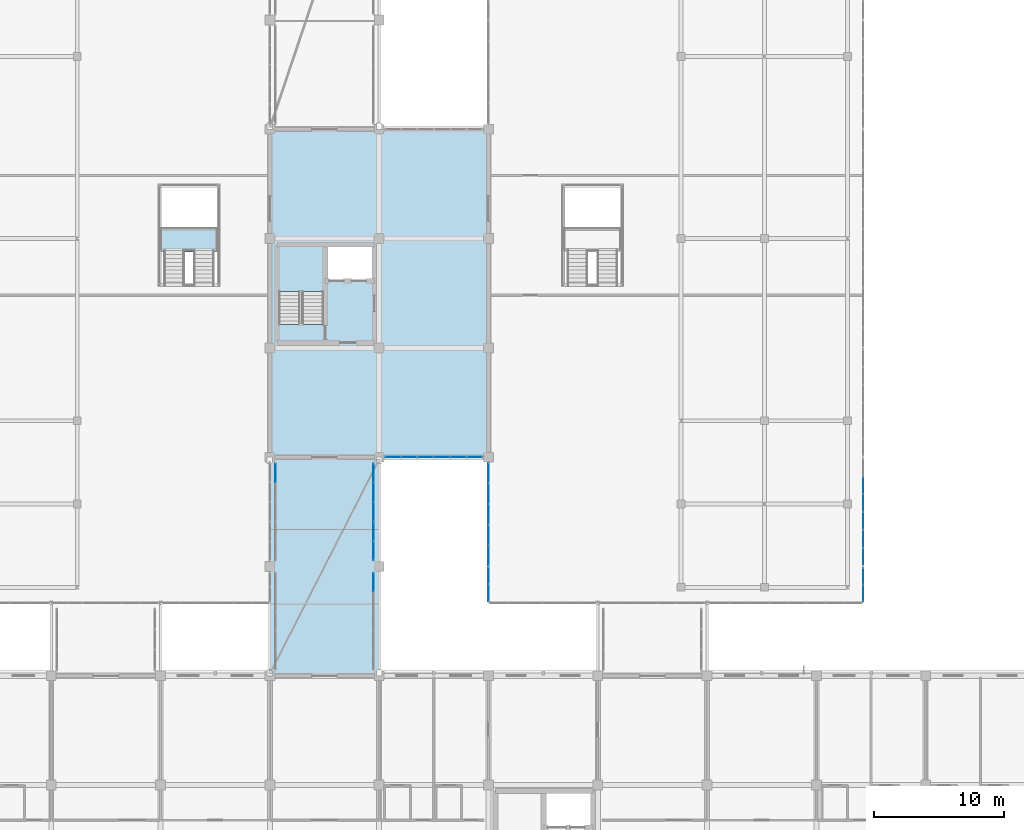
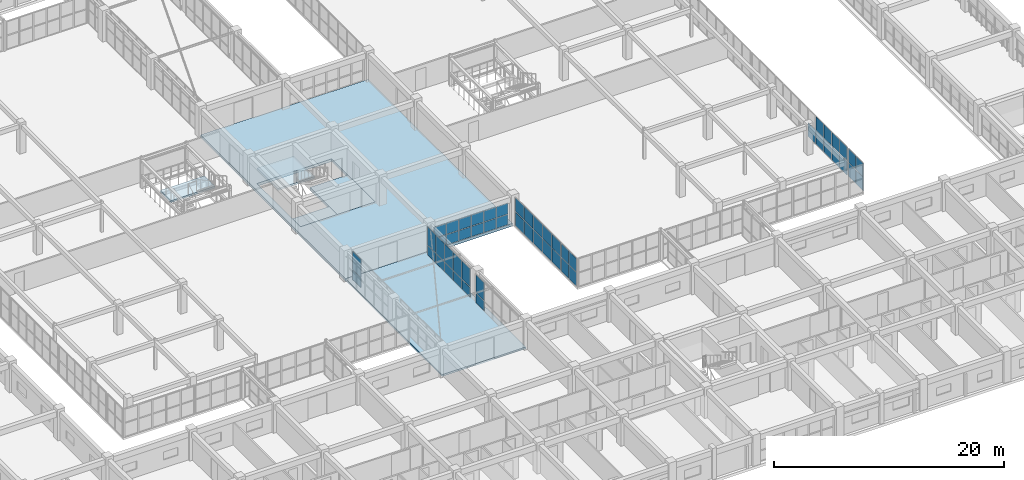
# One storey, part 150 of 200: 53 plates, 6 slabs, 10 elements without a shape of their own.
"""IFC4 building model written with IfcOpenShell, lengths in metres."""

import ifcopenshell
import ifcopenshell.guid

model = None  # the IFC model being written
_history = None  # IfcOwnerHistory: only IFC2X3 demands one
_inside = {}  # id of a spatial element -> (the spatial element, [elements in it])
_under = {}  # id of a project, library or spatial element -> (it, [spatial elements below it])
_declared = {}  # id of a project -> (the project, [libraries it declares])
_typed = {}  # id of a type object -> (the type object, [elements of that type])
_made_of = {}  # id of a material, layer set ... -> (it, [elements and type objects made of it])


def new_model(schema):
    """Start an empty IFC model of exactly this schema.

    Asked for "IFC4X3", IfcOpenShell would pick the latest addendum, in which some entities
    have other attributes; the version numbers below select the first issue.
    IFC2X3 requires an IfcOwnerHistory on every rooted entity: one is made here for all.
    """
    global model, _history
    if schema == "IFC4X3":
        model = ifcopenshell.file(schema_version=(4, 3, 0, 0))
    else:
        model = ifcopenshell.file(schema=schema)
    _inside.clear()
    _under.clear()
    _declared.clear()
    _typed.clear()
    _made_of.clear()
    _history = None
    if model.schema == "IFC2X3":
        org = make("IfcOrganization", Name="unknown")
        user = make(
            "IfcPersonAndOrganization",
            ThePerson=make("IfcPerson", FamilyName="unknown"),
            TheOrganization=org,
        )
        app = make(
            "IfcApplication",
            ApplicationDeveloper=org,
            Version="unknown",
            ApplicationFullName="unknown",
            ApplicationIdentifier="unknown",
        )
        _history = make(
            "IfcOwnerHistory",
            OwningUser=user,
            OwningApplication=app,
            ChangeAction="ADDED",
            CreationDate=0,
        )
    return model


def make(cls, **values):
    """One entity of the class cls with the attributes given. An attribute that is None is left unset."""
    return model.create_entity(
        cls, **{name: value for name, value in values.items() if value is not None}
    )


def rooted(cls, **values):
    """An entity with a GlobalId (a new one), such as an element, a storey or a relation."""
    return make(cls, GlobalId=ifcopenshell.guid.new(), OwnerHistory=_history, **values)


def si_unit(unit_type, name, prefix=None):
    """IfcSIUnit, for example si_unit("LENGTHUNIT", "METRE", prefix="MILLI")."""
    return make("IfcSIUnit", UnitType=unit_type, Prefix=prefix, Name=name)


def assignment(units):
    """IfcUnitAssignment: the units of a project."""
    return None if units is None else make("IfcUnitAssignment", Units=units)


def point(xyz):
    """IfcCartesianPoint."""
    return None if xyz is None else make("IfcCartesianPoint", Coordinates=xyz)


def direction(xyz):
    """IfcDirection."""
    return None if xyz is None else make("IfcDirection", DirectionRatios=xyz)


def frame(location, z_axis=None, x_axis=None):
    """IfcAxis2Placement3D, a coordinate frame: its origin and axes. An axis left out is left unset."""
    return make(
        "IfcAxis2Placement3D",
        Location=point(location),
        Axis=direction(z_axis),
        RefDirection=direction(x_axis),
    )


def frame_2d(location, x_axis=None):
    """IfcAxis2Placement2D, a coordinate frame in the plane: its origin and x axis."""
    return make(
        "IfcAxis2Placement2D", Location=point(location), RefDirection=direction(x_axis)
    )


def origin():
    """The frame at (0, 0, 0) with its axes left unset."""
    return frame((0.0, 0.0, 0.0))


def origin_2d():
    """The frame at (0, 0) in the plane with its x axis left unset."""
    return frame_2d((0.0, 0.0))


def place(relative_to, where):
    """IfcLocalPlacement: puts the frame where relative to a parent placement (None: the world)."""
    return make(
        "IfcLocalPlacement", PlacementRelTo=relative_to, RelativePlacement=where
    )


def context(
    kind, dimensions, precision=None, world=None, true_north=None, identifier=None
):
    """IfcGeometricRepresentationContext, for example the 3D "Model" context."""
    return make(
        "IfcGeometricRepresentationContext",
        ContextIdentifier=identifier,
        ContextType=kind,
        CoordinateSpaceDimension=dimensions,
        Precision=precision,
        WorldCoordinateSystem=world,
        TrueNorth=true_north,
    )


def subcontext(parent, identifier, kind, view, scale=None):
    """IfcGeometricRepresentationSubContext, for example "Body" below "Model"."""
    return make(
        "IfcGeometricRepresentationSubContext",
        ContextIdentifier=identifier,
        ContextType=kind,
        ParentContext=parent,
        TargetScale=scale,
        TargetView=view,
    )


def project(units=None, contexts=None):
    """IfcProject with its units and contexts."""
    return rooted(
        "IfcProject",
        Name="project",
        RepresentationContexts=contexts,
        UnitsInContext=assignment(units),
    )


def spatial(cls, under=None, at=None, **own):
    """A site, building, storey or space (cls), placed at a placement, below another one or the project."""
    s = rooted(cls, ObjectPlacement=at, **own)
    if under is not None:
        _under.setdefault(under.id(), (under, []))[1].append(s)
    return s


def polyline(points):
    """IfcPolyline through the points."""
    return make("IfcPolyline", Points=[point(p) for p in points])


def profile(cls, at=None, kind="AREA", **sizes):
    """A parametric profile (cls). Its sizes go by their IFC names, for example OverallWidth=200.0."""
    return make(cls, ProfileType=kind, Position=at, **sizes)


def rectangle(**sizes):
    """IfcRectangleProfileDef."""
    return profile("IfcRectangleProfileDef", **sizes)


def outline(outer, holes=None, kind="AREA"):
    """IfcArbitraryClosedProfileDef: a profile drawn as a closed curve; with holes, ...WithVoids."""
    if holes is None:
        return make("IfcArbitraryClosedProfileDef", ProfileType=kind, OuterCurve=outer)
    return make(
        "IfcArbitraryProfileDefWithVoids",
        ProfileType=kind,
        OuterCurve=outer,
        InnerCurves=holes,
    )


def extrude(swept, where, along, depth):
    """IfcExtrudedAreaSolid: the profile swept, set in the frame where, extruded along a direction by depth."""
    return make(
        "IfcExtrudedAreaSolid",
        SweptArea=swept,
        Position=where,
        ExtrudedDirection=direction(along),
        Depth=depth,
    )


def shape(context_of_items, identifier, shape_type, items):
    """IfcShapeRepresentation: the items that make up one representation, for example the "Body"."""
    return make(
        "IfcShapeRepresentation",
        ContextOfItems=context_of_items,
        RepresentationIdentifier=identifier,
        RepresentationType=shape_type,
        Items=items,
    )


def material(Name=None, Category=None):
    """IfcMaterial."""
    return make("IfcMaterial", Name=Name, Category=Category)


def layer(
    of_material, thickness, ventilated=None, Name=None, Category=None, Priority=None
):
    """IfcMaterialLayer: one layer of a wall or slab, of a material (None: an air gap)."""
    return make(
        "IfcMaterialLayer",
        Material=of_material,
        LayerThickness=thickness,
        IsVentilated=ventilated,
        Name=Name,
        Category=Category,
        Priority=Priority,
    )


def layer_set(layers, Name=None):
    """IfcMaterialLayerSet."""
    return make("IfcMaterialLayerSet", MaterialLayers=layers, LayerSetName=Name)


def made_of(thing, what):
    """Note that an element or type object is made of a material, layer set ...; save() writes the relation."""
    if what is not None:
        _made_of.setdefault(what.id(), (what, []))[1].append(thing)
    return thing


def type_object(cls, material=None, **own):
    """A type object (cls), such as IfcWallType, which elements share."""
    return made_of(rooted(cls, **own), material)


def element(
    cls,
    number,
    at=None,
    inside=None,
    cuts=None,
    type_object=None,
    material=None,
    context=None,
    identifier="Body",
    shape_type=None,
    held_by="IfcProductDefinitionShape",
    body=None,
    shapes=None,
    **own,
):
    """One element of the class cls, such as IfcWall. Its Tag is "e" and its number.

    at: its placement. inside: the storey or other place that contains it. cuts: it is an
    opening in that element (IfcRelVoidsElement). A single representation is given by context,
    identifier, shape_type and body (its items); several are given by shapes. held_by: the class
    of the entity that holds the representations. save() writes the other relations.
    """
    e = rooted(cls, Tag="e%d" % number, ObjectPlacement=at, **own)
    if body is not None:
        shapes = [shape(context, identifier, shape_type, body)]
    if shapes is not None:
        e.Representation = make(held_by, Representations=shapes)
    if inside is not None:
        _inside.setdefault(inside.id(), (inside, []))[1].append(e)
    if cuts is not None:
        rooted(
            "IfcRelVoidsElement", RelatingBuildingElement=cuts, RelatedOpeningElement=e
        )
    if type_object is not None:
        _typed.setdefault(type_object.id(), (type_object, []))[1].append(e)
    return made_of(e, material)


def aggregate(whole, parts):
    """IfcRelAggregates: a whole, such as a stair, and the parts it consists of."""
    return rooted("IfcRelAggregates", RelatingObject=whole, RelatedObjects=parts)


def save(model, path):
    """Write the relations noted so far, then the file.

    IfcRelAggregates (storeys below a building ...), IfcRelContainedInSpatialStructure (elements
    in a storey), IfcRelDefinesByType, IfcRelAssociatesMaterial and IfcRelDeclares: one each for
    every whole, place, type object, material and project.
    """
    for whole, parts in _under.values():
        aggregate(whole, parts)
    for where, things in _inside.values():
        rooted(
            "IfcRelContainedInSpatialStructure",
            RelatedElements=things,
            RelatingStructure=where,
        )
    for kind, things in _typed.values():
        rooted("IfcRelDefinesByType", RelatedObjects=things, RelatingType=kind)
    for what, things in _made_of.values():
        rooted("IfcRelAssociatesMaterial", RelatedObjects=things, RelatingMaterial=what)
    for by, libraries in _declared.values():
        rooted("IfcRelDeclares", RelatingContext=by, RelatedDefinitions=libraries)
    model.write(path)


model = new_model("IFC4")

# Units and contexts
model_context = context("Model", 3, precision=1e-05, world=origin(), true_north=direction((0.0, 1.0)))
body_context = subcontext(model_context, "Body", "Model", "MODEL_VIEW")
ifc_project = project(units=[si_unit("LENGTHUNIT", "METRE"), si_unit("AREAUNIT", "SQUARE_METRE"), si_unit("VOLUMEUNIT", "CUBIC_METRE"), si_unit("PLANEANGLEUNIT", "RADIAN"), si_unit("MASSUNIT", "GRAM", prefix="KILO")], contexts=[model_context])

# Site, building, storey
site_placement = place(None, origin())
site = spatial("IfcSite", under=ifc_project, at=site_placement, CompositionType="ELEMENT")
building_placement = place(site_placement, origin())
building = spatial("IfcBuilding", under=site, at=building_placement, Name="Trelvath General Hospital", CompositionType="ELEMENT")
storey_placement = place(building_placement, frame((0.0, 0.0, 4.800048828125)))
storey = spatial("IfcBuildingStorey", under=building, at=storey_placement, Name="L01", CompositionType="ELEMENT", Elevation=4.800048828125)

# Slab
ifc_material_1 = material(Name="Concrete C35/45", Category="concrete")
ifc_layer_1 = layer(ifc_material_1, 0.18994140625)
ifc_layer_set_1 = layer_set([ifc_layer_1], Name="Concrete C35/45")
slab_type_1 = type_object("IfcSlabType", Name="BridgeDeck 190", PredefinedType="FLOOR", material=ifc_layer_set_1)
slab_1_placement = place(storey_placement, frame((0.0, 0.0, -0.18994140625)))
element("IfcSlab", 1, at=slab_1_placement, inside=storey, type_object=slab_type_1, Name="Courtyard Bridge Deck BRG-S-C L01", PredefinedType="FLOOR", context=body_context, shape_type="SweptSolid", body=[
    extrude(outline(polyline([(75.60009765625, 25.199951171875), (84.0, 25.199951171875), (84.0, 42.0), (75.60009765625, 42.0), (75.60009765625, 25.199951171875)])), origin(), (0.0, 0.0, 1.0), 0.18994140625),
])

# Curtain wall, plates
ifc_material_2 = material(Name="Anodised aluminium and low-E glass", Category="aluminium")
ifc_layer_2 = layer(ifc_material_2, 0.14990234375)
ifc_layer_set_2 = layer_set([ifc_layer_2], Name="Anodised aluminium and low-E glass")
curtain_wall_type_1 = type_object("IfcCurtainWallType", Name="CW CrystalCube 264 306 15", PredefinedType="USERDEFINED", material=ifc_layer_set_2)
curtain_wall_1_placement = place(storey_placement, origin())
curtain_wall_1 = element("IfcCurtainWall", 2, at=curtain_wall_1_placement, inside=storey, type_object=curtain_wall_type_1, Name="Crystal Cube Curtain Wall CUBE-E-T0 E1 L01", ObjectType="Unitised Glazed Curtain Wall", PredefinedType="USERDEFINED")
ifc_material_3 = material(Name="Low-E laminated glass", Category="glass")
ifc_layer_3 = layer(ifc_material_3, 0.028076171875)
ifc_layer_set_3 = layer_set([ifc_layer_3], Name="Low-E laminated glass")
plate_type_1 = type_object("IfcPlateType", Name="CurtainPanel Glass28", PredefinedType="CURTAIN_PANEL", material=ifc_layer_set_3)
plate_1_placement = place(storey_placement, frame((121.199951171875, 32.844970703125, 0.06005859375), z_axis=(0.0, 0.0, 1.0), x_axis=(0.0, -1.0, 0.0)))
plate_1 = element("IfcPlate", 3, at=plate_1_placement, type_object=plate_type_1, Name="CW-160 panel 1.1", PredefinedType="CURTAIN_PANEL", context=body_context, shape_type="SweptSolid", body=[
    extrude(rectangle(XDim=1.22998046875, YDim=0.028076171875, at=origin_2d()), origin(), (0.0, 0.0, 1.0), 1.43994140625),
])
plate_2_placement = place(storey_placement, frame((121.199951171875, 32.844970703125, 1.56005859375), z_axis=(0.0, 0.0, 1.0), x_axis=(0.0, -1.0, 0.0)))
plate_2 = element("IfcPlate", 4, at=plate_2_placement, type_object=plate_type_1, Name="CW-160 panel 1.2", PredefinedType="CURTAIN_PANEL", context=body_context, shape_type="SweptSolid", body=[
    extrude(rectangle(XDim=1.22998046875, YDim=0.028076171875, at=origin_2d()), origin(), (0.0, 0.0, 1.0), 1.43994140625),
])
plate_3_placement = place(storey_placement, frame((121.199951171875, 31.554931640625, 0.06005859375), z_axis=(0.0, 0.0, 1.0), x_axis=(0.0, -1.0, 0.0)))
plate_3 = element("IfcPlate", 5, at=plate_3_placement, type_object=plate_type_1, Name="CW-160 panel 2.1", PredefinedType="CURTAIN_PANEL", context=body_context, shape_type="SweptSolid", body=[
    extrude(rectangle(XDim=1.22998046875, YDim=0.028076171875, at=origin_2d()), origin(), (0.0, 0.0, 1.0), 1.43994140625),
])
plate_4_placement = place(storey_placement, frame((121.199951171875, 31.554931640625, 1.56005859375), z_axis=(0.0, 0.0, 1.0), x_axis=(0.0, -1.0, 0.0)))
plate_4 = element("IfcPlate", 6, at=plate_4_placement, type_object=plate_type_1, Name="CW-160 panel 2.2", PredefinedType="CURTAIN_PANEL", context=body_context, shape_type="SweptSolid", body=[
    extrude(rectangle(XDim=1.22998046875, YDim=0.028076171875, at=origin_2d()), origin(), (0.0, 0.0, 1.0), 1.43994140625),
])
aggregate(curtain_wall_1, [plate_1, plate_2, plate_3, plate_4])

ifc_material_4 = material(Name="Anodised aluminium and low-E glass", Category="aluminium")
ifc_layer_4 = layer(ifc_material_4, 0.14990234375)
ifc_layer_set_4 = layer_set([ifc_layer_4], Name="Anodised aluminium and low-E glass")
curtain_wall_type_2 = type_object("IfcCurtainWallType", Name="CW CrystalCube 270 306 15", PredefinedType="USERDEFINED", material=ifc_layer_set_4)
curtain_wall_2_placement = place(storey_placement, origin())
curtain_wall_2 = element("IfcCurtainWall", 7, at=curtain_wall_2_placement, inside=storey, type_object=curtain_wall_type_2, Name="Crystal Cube Curtain Wall CUBE-E-T0 W1 L01", ObjectType="Unitised Glazed Curtain Wall", PredefinedType="USERDEFINED")
plate_5_placement = place(storey_placement, frame((92.39990234375, 31.570068359375, 0.06005859375), z_axis=(0.0, 0.0, 1.0), x_axis=(0.0, 1.0, 0.0)))
plate_5 = element("IfcPlate", 8, at=plate_5_placement, type_object=plate_type_1, Name="CW-161 panel 1.1", PredefinedType="CURTAIN_PANEL", context=body_context, shape_type="SweptSolid", body=[
    extrude(rectangle(XDim=1.260009765625, YDim=0.028076171875, at=origin_2d()), origin(), (0.0, 0.0, 1.0), 1.43994140625),
])
plate_6_placement = place(storey_placement, frame((92.39990234375, 31.570068359375, 1.56005859375), z_axis=(0.0, 0.0, 1.0), x_axis=(0.0, 1.0, 0.0)))
plate_6 = element("IfcPlate", 9, at=plate_6_placement, type_object=plate_type_1, Name="CW-161 panel 1.2", PredefinedType="CURTAIN_PANEL", context=body_context, shape_type="SweptSolid", body=[
    extrude(rectangle(XDim=1.260009765625, YDim=0.028076171875, at=origin_2d()), origin(), (0.0, 0.0, 1.0), 1.43994140625),
])
plate_7_placement = place(storey_placement, frame((92.39990234375, 32.889892578125, 0.06005859375), z_axis=(0.0, 0.0, 1.0), x_axis=(0.0, 1.0, 0.0)))
plate_7 = element("IfcPlate", 10, at=plate_7_placement, type_object=plate_type_1, Name="CW-161 panel 2.1", PredefinedType="CURTAIN_PANEL", context=body_context, shape_type="SweptSolid", body=[
    extrude(rectangle(XDim=1.260009765625, YDim=0.028076171875, at=origin_2d()), origin(), (0.0, 0.0, 1.0), 1.43994140625),
])
plate_8_placement = place(storey_placement, frame((92.39990234375, 32.889892578125, 1.56005859375), z_axis=(0.0, 0.0, 1.0), x_axis=(0.0, 1.0, 0.0)))
plate_8 = element("IfcPlate", 11, at=plate_8_placement, type_object=plate_type_1, Name="CW-161 panel 2.2", PredefinedType="CURTAIN_PANEL", context=body_context, shape_type="SweptSolid", body=[
    extrude(rectangle(XDim=1.260009765625, YDim=0.028076171875, at=origin_2d()), origin(), (0.0, 0.0, 1.0), 1.43994140625),
])
aggregate(curtain_wall_2, [plate_5, plate_6, plate_7, plate_8])

ifc_material_5 = material(Name="Anodised aluminium and low-E glass", Category="aluminium")
ifc_layer_5 = layer(ifc_material_5, 0.14990234375)
ifc_layer_set_5 = layer_set([ifc_layer_5], Name="Anodised aluminium and low-E glass")
curtain_wall_type_3 = type_object("IfcCurtainWallType", Name="CW CrystalCube 824 306 15", PredefinedType="USERDEFINED", material=ifc_layer_set_5)
curtain_wall_3_placement = place(storey_placement, origin())
curtain_wall_3 = element("IfcCurtainWall", 12, at=curtain_wall_3_placement, inside=storey, type_object=curtain_wall_type_3, Name="Crystal Cube Curtain Wall CUBE-E-T0 E2 L01", ObjectType="Unitised Glazed Curtain Wall", PredefinedType="USERDEFINED")
plate_9_placement = place(storey_placement, frame((121.199951171875, 39.860107421875, 0.06005859375), z_axis=(0.0, 0.0, 1.0), x_axis=(0.0, -1.0, 0.0)))
plate_9 = element("IfcPlate", 13, at=plate_9_placement, type_object=plate_type_1, Name="CW-162 panel 2.1", PredefinedType="CURTAIN_PANEL", context=body_context, shape_type="SweptSolid", body=[
    extrude(rectangle(XDim=1.313232421875, YDim=0.028076171875, at=origin_2d()), origin(), (0.0, 0.0, 1.0), 1.43994140625),
])
plate_10_placement = place(storey_placement, frame((121.199951171875, 38.486572265625, 0.06005859375), z_axis=(0.0, 0.0, 1.0), x_axis=(0.0, -1.0, 0.0)))
plate_10 = element("IfcPlate", 14, at=plate_10_placement, type_object=plate_type_1, Name="CW-162 panel 3.1", PredefinedType="CURTAIN_PANEL", context=body_context, shape_type="SweptSolid", body=[
    extrude(rectangle(XDim=1.313232421875, YDim=0.028076171875, at=origin_2d()), origin(), (0.0, 0.0, 1.0), 1.43994140625),
])
plate_11_placement = place(storey_placement, frame((121.199951171875, 38.486572265625, 1.56005859375), z_axis=(0.0, 0.0, 1.0), x_axis=(0.0, -1.0, 0.0)))
plate_11 = element("IfcPlate", 15, at=plate_11_placement, type_object=plate_type_1, Name="CW-162 panel 3.2", PredefinedType="CURTAIN_PANEL", context=body_context, shape_type="SweptSolid", body=[
    extrude(rectangle(XDim=1.313232421875, YDim=0.028076171875, at=origin_2d()), origin(), (0.0, 0.0, 1.0), 1.43994140625),
])
plate_12_placement = place(storey_placement, frame((121.199951171875, 37.11328125, 0.06005859375), z_axis=(0.0, 0.0, 1.0), x_axis=(0.0, -1.0, 0.0)))
plate_12 = element("IfcPlate", 16, at=plate_12_placement, type_object=plate_type_1, Name="CW-162 panel 4.1", PredefinedType="CURTAIN_PANEL", context=body_context, shape_type="SweptSolid", body=[
    extrude(rectangle(XDim=1.313232421875, YDim=0.028076171875, at=origin_2d()), origin(), (0.0, 0.0, 1.0), 1.43994140625),
])
plate_13_placement = place(storey_placement, frame((121.199951171875, 37.11328125, 1.56005859375), z_axis=(0.0, 0.0, 1.0), x_axis=(0.0, -1.0, 0.0)))
plate_13 = element("IfcPlate", 17, at=plate_13_placement, type_object=plate_type_1, Name="CW-162 panel 4.2", PredefinedType="CURTAIN_PANEL", context=body_context, shape_type="SweptSolid", body=[
    extrude(rectangle(XDim=1.313232421875, YDim=0.028076171875, at=origin_2d()), origin(), (0.0, 0.0, 1.0), 1.43994140625),
])
plate_14_placement = place(storey_placement, frame((121.199951171875, 35.739990234375, 0.06005859375), z_axis=(0.0, 0.0, 1.0), x_axis=(0.0, -1.0, 0.0)))
plate_14 = element("IfcPlate", 18, at=plate_14_placement, type_object=plate_type_1, Name="CW-162 panel 5.1", PredefinedType="CURTAIN_PANEL", context=body_context, shape_type="SweptSolid", body=[
    extrude(rectangle(XDim=1.313232421875, YDim=0.028076171875, at=origin_2d()), origin(), (0.0, 0.0, 1.0), 1.43994140625),
])
plate_15_placement = place(storey_placement, frame((121.199951171875, 35.739990234375, 1.56005859375), z_axis=(0.0, 0.0, 1.0), x_axis=(0.0, -1.0, 0.0)))
plate_15 = element("IfcPlate", 19, at=plate_15_placement, type_object=plate_type_1, Name="CW-162 panel 5.2", PredefinedType="CURTAIN_PANEL", context=body_context, shape_type="SweptSolid", body=[
    extrude(rectangle(XDim=1.313232421875, YDim=0.028076171875, at=origin_2d()), origin(), (0.0, 0.0, 1.0), 1.43994140625),
])
plate_16_placement = place(storey_placement, frame((121.199951171875, 34.381591796875, 0.06005859375), z_axis=(0.0, 0.0, 1.0), x_axis=(0.0, -1.0, 0.0)))
plate_16 = element("IfcPlate", 20, at=plate_16_placement, type_object=plate_type_1, Name="CW-162 panel 6.1", PredefinedType="CURTAIN_PANEL", context=body_context, shape_type="SweptSolid", body=[
    extrude(rectangle(XDim=1.283447265625, YDim=0.028076171875, at=origin_2d()), origin(), (0.0, 0.0, 1.0), 1.43994140625),
])
plate_17_placement = place(storey_placement, frame((121.199951171875, 34.381591796875, 1.56005859375), z_axis=(0.0, 0.0, 1.0), x_axis=(0.0, -1.0, 0.0)))
plate_17 = element("IfcPlate", 21, at=plate_17_placement, type_object=plate_type_1, Name="CW-162 panel 6.2", PredefinedType="CURTAIN_PANEL", context=body_context, shape_type="SweptSolid", body=[
    extrude(rectangle(XDim=1.283447265625, YDim=0.028076171875, at=origin_2d()), origin(), (0.0, 0.0, 1.0), 1.43994140625),
])
aggregate(curtain_wall_3, [plate_9, plate_10, plate_11, plate_12, plate_13, plate_14, plate_15, plate_16, plate_17])

ifc_material_6 = material(Name="Anodised aluminium and low-E glass", Category="aluminium")
ifc_layer_6 = layer(ifc_material_6, 0.14990234375)
ifc_layer_set_6 = layer_set([ifc_layer_6], Name="Anodised aluminium and low-E glass")
curtain_wall_type_4 = type_object("IfcCurtainWallType", Name="CW CrystalCube 798 306 15", PredefinedType="USERDEFINED", material=ifc_layer_set_6)
curtain_wall_4_placement = place(storey_placement, origin())
curtain_wall_4 = element("IfcCurtainWall", 22, at=curtain_wall_4_placement, inside=storey, type_object=curtain_wall_type_4, Name="Crystal Cube Curtain Wall CUBE-E-T0 W2 L01", ObjectType="Unitised Glazed Curtain Wall", PredefinedType="USERDEFINED")
plate_18_placement = place(storey_placement, frame((92.39990234375, 34.4326171875, 0.06005859375), z_axis=(0.0, 0.0, 1.0), x_axis=(0.0, 1.0, 0.0)))
plate_18 = element("IfcPlate", 23, at=plate_18_placement, type_object=plate_type_1, Name="CW-163 panel 1.1", PredefinedType="CURTAIN_PANEL", context=body_context, shape_type="SweptSolid", body=[
    extrude(rectangle(XDim=1.5048828125, YDim=0.028076171875, at=origin_2d()), origin(), (0.0, 0.0, 1.0), 1.43994140625),
])
plate_19_placement = place(storey_placement, frame((92.39990234375, 34.4326171875, 1.56005859375), z_axis=(0.0, 0.0, 1.0), x_axis=(0.0, 1.0, 0.0)))
plate_19 = element("IfcPlate", 24, at=plate_19_placement, type_object=plate_type_1, Name="CW-163 panel 1.2", PredefinedType="CURTAIN_PANEL", context=body_context, shape_type="SweptSolid", body=[
    extrude(rectangle(XDim=1.5048828125, YDim=0.028076171875, at=origin_2d()), origin(), (0.0, 0.0, 1.0), 1.43994140625),
])
plate_20_placement = place(storey_placement, frame((92.39990234375, 36.012451171875, 0.06005859375), z_axis=(0.0, 0.0, 1.0), x_axis=(0.0, 1.0, 0.0)))
plate_20 = element("IfcPlate", 25, at=plate_20_placement, type_object=plate_type_1, Name="CW-163 panel 2.1", PredefinedType="CURTAIN_PANEL", context=body_context, shape_type="SweptSolid", body=[
    extrude(rectangle(XDim=1.534912109375, YDim=0.028076171875, at=origin_2d()), origin(), (0.0, 0.0, 1.0), 1.43994140625),
])
plate_21_placement = place(storey_placement, frame((92.39990234375, 36.012451171875, 1.56005859375), z_axis=(0.0, 0.0, 1.0), x_axis=(0.0, 1.0, 0.0)))
plate_21 = element("IfcPlate", 26, at=plate_21_placement, type_object=plate_type_1, Name="CW-163 panel 2.2", PredefinedType="CURTAIN_PANEL", context=body_context, shape_type="SweptSolid", body=[
    extrude(rectangle(XDim=1.534912109375, YDim=0.028076171875, at=origin_2d()), origin(), (0.0, 0.0, 1.0), 1.43994140625),
])
plate_22_placement = place(storey_placement, frame((92.39990234375, 37.607421875, 0.06005859375), z_axis=(0.0, 0.0, 1.0), x_axis=(0.0, 1.0, 0.0)))
plate_22 = element("IfcPlate", 27, at=plate_22_placement, type_object=plate_type_1, Name="CW-163 panel 3.1", PredefinedType="CURTAIN_PANEL", context=body_context, shape_type="SweptSolid", body=[
    extrude(rectangle(XDim=1.534912109375, YDim=0.028076171875, at=origin_2d()), origin(), (0.0, 0.0, 1.0), 1.43994140625),
])
plate_23_placement = place(storey_placement, frame((92.39990234375, 37.607421875, 1.56005859375), z_axis=(0.0, 0.0, 1.0), x_axis=(0.0, 1.0, 0.0)))
plate_23 = element("IfcPlate", 28, at=plate_23_placement, type_object=plate_type_1, Name="CW-163 panel 3.2", PredefinedType="CURTAIN_PANEL", context=body_context, shape_type="SweptSolid", body=[
    extrude(rectangle(XDim=1.534912109375, YDim=0.028076171875, at=origin_2d()), origin(), (0.0, 0.0, 1.0), 1.43994140625),
])
plate_24_placement = place(storey_placement, frame((92.39990234375, 39.202392578125, 0.06005859375), z_axis=(0.0, 0.0, 1.0), x_axis=(0.0, 1.0, 0.0)))
plate_24 = element("IfcPlate", 29, at=plate_24_placement, type_object=plate_type_1, Name="CW-163 panel 4.1", PredefinedType="CURTAIN_PANEL", context=body_context, shape_type="SweptSolid", body=[
    extrude(rectangle(XDim=1.534912109375, YDim=0.028076171875, at=origin_2d()), origin(), (0.0, 0.0, 1.0), 1.43994140625),
])
plate_25_placement = place(storey_placement, frame((92.39990234375, 39.202392578125, 1.56005859375), z_axis=(0.0, 0.0, 1.0), x_axis=(0.0, 1.0, 0.0)))
plate_25 = element("IfcPlate", 30, at=plate_25_placement, type_object=plate_type_1, Name="CW-163 panel 4.2", PredefinedType="CURTAIN_PANEL", context=body_context, shape_type="SweptSolid", body=[
    extrude(rectangle(XDim=1.534912109375, YDim=0.028076171875, at=origin_2d()), origin(), (0.0, 0.0, 1.0), 1.43994140625),
])
plate_26_placement = place(storey_placement, frame((92.39990234375, 40.782470703125, 0.06005859375), z_axis=(0.0, 0.0, 1.0), x_axis=(0.0, 1.0, 0.0)))
plate_26 = element("IfcPlate", 31, at=plate_26_placement, type_object=plate_type_1, Name="CW-163 panel 5.1", PredefinedType="CURTAIN_PANEL", context=body_context, shape_type="SweptSolid", body=[
    extrude(rectangle(XDim=1.5048828125, YDim=0.028076171875, at=origin_2d()), origin(), (0.0, 0.0, 1.0), 1.43994140625),
])
plate_27_placement = place(storey_placement, frame((92.39990234375, 40.782470703125, 1.56005859375), z_axis=(0.0, 0.0, 1.0), x_axis=(0.0, 1.0, 0.0)))
plate_27 = element("IfcPlate", 32, at=plate_27_placement, type_object=plate_type_1, Name="CW-163 panel 5.2", PredefinedType="CURTAIN_PANEL", context=body_context, shape_type="SweptSolid", body=[
    extrude(rectangle(XDim=1.5048828125, YDim=0.028076171875, at=origin_2d()), origin(), (0.0, 0.0, 1.0), 1.43994140625),
])
aggregate(curtain_wall_4, [plate_18, plate_19, plate_20, plate_21, plate_22, plate_23, plate_24, plate_25, plate_26, plate_27])

ifc_material_7 = material(Name="Anodised aluminium and low-E glass", Category="aluminium")
ifc_layer_7 = layer(ifc_material_7, 0.139892578125)
ifc_layer_set_7 = layer_set([ifc_layer_7], Name="Anodised aluminium and low-E glass")
curtain_wall_type_5 = type_object("IfcCurtainWallType", Name="CW Bridge 752 311", PredefinedType="USERDEFINED", material=ifc_layer_set_7)
curtain_wall_5_placement = place(storey_placement, origin())
curtain_wall_5 = element("IfcCurtainWall", 33, at=curtain_wall_5_placement, inside=storey, type_object=curtain_wall_type_5, Name="Glazed Bridge Curtain Wall BRG-S-C E L01", ObjectType="Unitised Glazed Curtain Wall", PredefinedType="USERDEFINED")
plate_28_placement = place(storey_placement, frame((83.56005859375, 32.39306640625, 0.06005859375), z_axis=(0.0, 0.0, 1.0), x_axis=(0.0, -1.0, 0.0)))
plate_28 = element("IfcPlate", 34, at=plate_28_placement, type_object=plate_type_1, Name="CW-179 panel 1.1", PredefinedType="CURTAIN_PANEL", context=body_context, shape_type="SweptSolid", body=[
    extrude(rectangle(XDim=1.4140625, YDim=0.028076171875, at=origin_2d()), origin(), (0.0, 0.0, 1.0), 1.010009765625),
])
plate_29_placement = place(storey_placement, frame((83.56005859375, 32.39306640625, 1.1298828125), z_axis=(0.0, 0.0, 1.0), x_axis=(0.0, -1.0, 0.0)))
plate_29 = element("IfcPlate", 35, at=plate_29_placement, type_object=plate_type_1, Name="CW-179 panel 1.2", PredefinedType="CURTAIN_PANEL", context=body_context, shape_type="SweptSolid", body=[
    extrude(rectangle(XDim=1.4140625, YDim=0.028076171875, at=origin_2d()), origin(), (0.0, 0.0, 1.0), 1.919921875),
])
aggregate(curtain_wall_5, [plate_28, plate_29])

curtain_wall_6_placement = place(storey_placement, origin())
curtain_wall_6 = element("IfcCurtainWall", 36, at=curtain_wall_6_placement, inside=storey, type_object=curtain_wall_type_5, Name="Glazed Bridge Curtain Wall BRG-S-C W L01", ObjectType="Unitised Glazed Curtain Wall", PredefinedType="USERDEFINED")
plate_30_placement = place(storey_placement, frame((76.0400390625, 40.79296875, 0.06005859375), z_axis=(0.0, 0.0, 1.0), x_axis=(0.0, 1.0, 0.0)))
plate_30 = element("IfcPlate", 37, at=plate_30_placement, type_object=plate_type_1, Name="CW-180 panel 5.1", PredefinedType="CURTAIN_PANEL", context=body_context, shape_type="SweptSolid", body=[
    extrude(rectangle(XDim=1.4140625, YDim=0.028076171875, at=origin_2d()), origin(), (0.0, 0.0, 1.0), 1.010009765625),
])
plate_31_placement = place(storey_placement, frame((76.0400390625, 40.79296875, 1.1298828125), z_axis=(0.0, 0.0, 1.0), x_axis=(0.0, 1.0, 0.0)))
plate_31 = element("IfcPlate", 38, at=plate_31_placement, type_object=plate_type_1, Name="CW-180 panel 5.2", PredefinedType="CURTAIN_PANEL", context=body_context, shape_type="SweptSolid", body=[
    extrude(rectangle(XDim=1.4140625, YDim=0.028076171875, at=origin_2d()), origin(), (0.0, 0.0, 1.0), 1.919921875),
])
aggregate(curtain_wall_6, [plate_30, plate_31])

curtain_wall_7_placement = place(storey_placement, origin())
curtain_wall_7 = element("IfcCurtainWall", 39, at=curtain_wall_7_placement, inside=storey, type_object=curtain_wall_type_5, Name="Glazed Bridge Curtain Wall BRG-S-C E L01", ObjectType="Unitised Glazed Curtain Wall", PredefinedType="USERDEFINED")
plate_32_placement = place(storey_placement, frame((83.56005859375, 40.79296875, 0.06005859375), z_axis=(0.0, 0.0, 1.0), x_axis=(0.0, -1.0, 0.0)))
plate_32 = element("IfcPlate", 40, at=plate_32_placement, type_object=plate_type_1, Name="CW-181 panel 1.1", PredefinedType="CURTAIN_PANEL", context=body_context, shape_type="SweptSolid", body=[
    extrude(rectangle(XDim=1.4140625, YDim=0.028076171875, at=origin_2d()), origin(), (0.0, 0.0, 1.0), 1.010009765625),
])
plate_33_placement = place(storey_placement, frame((83.56005859375, 40.79296875, 1.1298828125), z_axis=(0.0, 0.0, 1.0), x_axis=(0.0, -1.0, 0.0)))
plate_33 = element("IfcPlate", 41, at=plate_33_placement, type_object=plate_type_1, Name="CW-181 panel 1.2", PredefinedType="CURTAIN_PANEL", context=body_context, shape_type="SweptSolid", body=[
    extrude(rectangle(XDim=1.4140625, YDim=0.028076171875, at=origin_2d()), origin(), (0.0, 0.0, 1.0), 1.919921875),
])
plate_34_placement = place(storey_placement, frame((83.56005859375, 39.303955078125, 0.06005859375), z_axis=(0.0, 0.0, 1.0), x_axis=(0.0, -1.0, 0.0)))
plate_34 = element("IfcPlate", 42, at=plate_34_placement, type_object=plate_type_1, Name="CW-181 panel 2.1", PredefinedType="CURTAIN_PANEL", context=body_context, shape_type="SweptSolid", body=[
    extrude(rectangle(XDim=1.444091796875, YDim=0.028076171875, at=origin_2d()), origin(), (0.0, 0.0, 1.0), 1.010009765625),
])
plate_35_placement = place(storey_placement, frame((83.56005859375, 39.303955078125, 1.1298828125), z_axis=(0.0, 0.0, 1.0), x_axis=(0.0, -1.0, 0.0)))
plate_35 = element("IfcPlate", 43, at=plate_35_placement, type_object=plate_type_1, Name="CW-181 panel 2.2", PredefinedType="CURTAIN_PANEL", context=body_context, shape_type="SweptSolid", body=[
    extrude(rectangle(XDim=1.444091796875, YDim=0.028076171875, at=origin_2d()), origin(), (0.0, 0.0, 1.0), 1.919921875),
])
plate_36_placement = place(storey_placement, frame((83.56005859375, 37.800048828125, 0.06005859375), z_axis=(0.0, 0.0, 1.0), x_axis=(0.0, -1.0, 0.0)))
plate_36 = element("IfcPlate", 44, at=plate_36_placement, type_object=plate_type_1, Name="CW-181 panel 3.1", PredefinedType="CURTAIN_PANEL", context=body_context, shape_type="SweptSolid", body=[
    extrude(rectangle(XDim=1.444091796875, YDim=0.028076171875, at=origin_2d()), origin(), (0.0, 0.0, 1.0), 1.010009765625),
])
plate_37_placement = place(storey_placement, frame((83.56005859375, 37.800048828125, 1.1298828125), z_axis=(0.0, 0.0, 1.0), x_axis=(0.0, -1.0, 0.0)))
plate_37 = element("IfcPlate", 45, at=plate_37_placement, type_object=plate_type_1, Name="CW-181 panel 3.2", PredefinedType="CURTAIN_PANEL", context=body_context, shape_type="SweptSolid", body=[
    extrude(rectangle(XDim=1.444091796875, YDim=0.028076171875, at=origin_2d()), origin(), (0.0, 0.0, 1.0), 1.919921875),
])
plate_38_placement = place(storey_placement, frame((83.56005859375, 36.2958984375, 0.06005859375), z_axis=(0.0, 0.0, 1.0), x_axis=(0.0, -1.0, 0.0)))
plate_38 = element("IfcPlate", 46, at=plate_38_placement, type_object=plate_type_1, Name="CW-181 panel 4.1", PredefinedType="CURTAIN_PANEL", context=body_context, shape_type="SweptSolid", body=[
    extrude(rectangle(XDim=1.444091796875, YDim=0.028076171875, at=origin_2d()), origin(), (0.0, 0.0, 1.0), 1.010009765625),
])
plate_39_placement = place(storey_placement, frame((83.56005859375, 36.2958984375, 1.1298828125), z_axis=(0.0, 0.0, 1.0), x_axis=(0.0, -1.0, 0.0)))
plate_39 = element("IfcPlate", 47, at=plate_39_placement, type_object=plate_type_1, Name="CW-181 panel 4.2", PredefinedType="CURTAIN_PANEL", context=body_context, shape_type="SweptSolid", body=[
    extrude(rectangle(XDim=1.444091796875, YDim=0.028076171875, at=origin_2d()), origin(), (0.0, 0.0, 1.0), 1.919921875),
])
plate_40_placement = place(storey_placement, frame((83.56005859375, 34.806884765625, 0.06005859375), z_axis=(0.0, 0.0, 1.0), x_axis=(0.0, -1.0, 0.0)))
plate_40 = element("IfcPlate", 48, at=plate_40_placement, type_object=plate_type_1, Name="CW-181 panel 5.1", PredefinedType="CURTAIN_PANEL", context=body_context, shape_type="SweptSolid", body=[
    extrude(rectangle(XDim=1.4140625, YDim=0.028076171875, at=origin_2d()), origin(), (0.0, 0.0, 1.0), 1.010009765625),
])
plate_41_placement = place(storey_placement, frame((83.56005859375, 34.806884765625, 1.1298828125), z_axis=(0.0, 0.0, 1.0), x_axis=(0.0, -1.0, 0.0)))
plate_41 = element("IfcPlate", 49, at=plate_41_placement, type_object=plate_type_1, Name="CW-181 panel 5.2", PredefinedType="CURTAIN_PANEL", context=body_context, shape_type="SweptSolid", body=[
    extrude(rectangle(XDim=1.4140625, YDim=0.028076171875, at=origin_2d()), origin(), (0.0, 0.0, 1.0), 1.919921875),
])
aggregate(curtain_wall_7, [plate_32, plate_33, plate_34, plate_35, plate_36, plate_37, plate_38, plate_39, plate_40, plate_41])

ifc_material_8 = material(Name="Anodised aluminium and low-E glass", Category="aluminium")
ifc_layer_8 = layer(ifc_material_8, 0.159912109375)
ifc_layer_set_8 = layer_set([ifc_layer_8], Name="Anodised aluminium and low-E glass")
curtain_wall_type_6 = type_object("IfcCurtainWallType", Name="CW Facade 754 242 16", PredefinedType="USERDEFINED", material=ifc_layer_set_8)
curtain_wall_8_placement = place(storey_placement, origin())
curtain_wall_8 = element("IfcCurtainWall", 50, at=curtain_wall_8_placement, inside=storey, type_object=curtain_wall_type_6, Name="Facade Curtain Wall CW-016", ObjectType="Unitised Glazed Curtain Wall", PredefinedType="USERDEFINED")
ifc_material_9 = material(Name="Low-E laminated glass", Category="glass")
ifc_layer_9 = layer(ifc_material_9, 0.035888671875)
ifc_layer_set_9 = layer_set([ifc_layer_9], Name="Low-E laminated glass")
plate_type_2 = type_object("IfcPlateType", Name="CurtainPanel Glass36", PredefinedType="CURTAIN_PANEL", material=ifc_layer_set_9)
plate_42_placement = place(storey_placement, frame((91.32666015625, 42.0, 0.06005859375), z_axis=(0.0, 0.0, 1.0), x_axis=(-1.0, 0.0, 0.0)))
plate_42 = element("IfcPlate", 51, at=plate_42_placement, type_object=plate_type_2, Name="CW-016 panel 1.1", PredefinedType="CURTAIN_PANEL", context=body_context, shape_type="SweptSolid", body=[
    extrude(rectangle(XDim=1.166748046875, YDim=0.035888671875, at=origin_2d()), origin(), (0.0, 0.0, 1.0), 1.072021484375),
])
plate_43_placement = place(storey_placement, frame((91.32666015625, 42.0, 1.19189453125), z_axis=(0.0, 0.0, 1.0), x_axis=(-1.0, 0.0, 0.0)))
plate_43 = element("IfcPlate", 52, at=plate_43_placement, type_object=plate_type_2, Name="CW-016 panel 1.2", PredefinedType="CURTAIN_PANEL", context=body_context, shape_type="SweptSolid", body=[
    extrude(rectangle(XDim=1.166748046875, YDim=0.035888671875, at=origin_2d()), origin(), (0.0, 0.0, 1.0), 1.16796875),
])
plate_44_placement = place(storey_placement, frame((90.0849609375, 42.0, 0.06005859375), z_axis=(0.0, 0.0, 1.0), x_axis=(-1.0, 0.0, 0.0)))
plate_44 = element("IfcPlate", 53, at=plate_44_placement, type_object=plate_type_2, Name="CW-016 panel 2.1", PredefinedType="CURTAIN_PANEL", context=body_context, shape_type="SweptSolid", body=[
    extrude(rectangle(XDim=1.19677734375, YDim=0.035888671875, at=origin_2d()), origin(), (0.0, 0.0, 1.0), 1.072021484375),
])
plate_45_placement = place(storey_placement, frame((90.0849609375, 42.0, 1.19189453125), z_axis=(0.0, 0.0, 1.0), x_axis=(-1.0, 0.0, 0.0)))
plate_45 = element("IfcPlate", 54, at=plate_45_placement, type_object=plate_type_2, Name="CW-016 panel 2.2", PredefinedType="CURTAIN_PANEL", context=body_context, shape_type="SweptSolid", body=[
    extrude(rectangle(XDim=1.19677734375, YDim=0.035888671875, at=origin_2d()), origin(), (0.0, 0.0, 1.0), 1.16796875),
])
plate_46_placement = place(storey_placement, frame((88.828369140625, 42.0, 0.06005859375), z_axis=(0.0, 0.0, 1.0), x_axis=(-1.0, 0.0, 0.0)))
plate_46 = element("IfcPlate", 55, at=plate_46_placement, type_object=plate_type_2, Name="CW-016 panel 3.1", PredefinedType="CURTAIN_PANEL", context=body_context, shape_type="SweptSolid", body=[
    extrude(rectangle(XDim=1.19677734375, YDim=0.035888671875, at=origin_2d()), origin(), (0.0, 0.0, 1.0), 1.072021484375),
])
plate_47_placement = place(storey_placement, frame((88.828369140625, 42.0, 1.19189453125), z_axis=(0.0, 0.0, 1.0), x_axis=(-1.0, 0.0, 0.0)))
plate_47 = element("IfcPlate", 56, at=plate_47_placement, type_object=plate_type_2, Name="CW-016 panel 3.2", PredefinedType="CURTAIN_PANEL", context=body_context, shape_type="SweptSolid", body=[
    extrude(rectangle(XDim=1.19677734375, YDim=0.035888671875, at=origin_2d()), origin(), (0.0, 0.0, 1.0), 1.16796875),
])
plate_48_placement = place(storey_placement, frame((87.57177734375, 42.0, 0.06005859375), z_axis=(0.0, 0.0, 1.0), x_axis=(-1.0, 0.0, 0.0)))
plate_48 = element("IfcPlate", 57, at=plate_48_placement, type_object=plate_type_2, Name="CW-016 panel 4.1", PredefinedType="CURTAIN_PANEL", context=body_context, shape_type="SweptSolid", body=[
    extrude(rectangle(XDim=1.19677734375, YDim=0.035888671875, at=origin_2d()), origin(), (0.0, 0.0, 1.0), 1.072021484375),
])
plate_49_placement = place(storey_placement, frame((87.57177734375, 42.0, 1.19189453125), z_axis=(0.0, 0.0, 1.0), x_axis=(-1.0, 0.0, 0.0)))
plate_49 = element("IfcPlate", 58, at=plate_49_placement, type_object=plate_type_2, Name="CW-016 panel 4.2", PredefinedType="CURTAIN_PANEL", context=body_context, shape_type="SweptSolid", body=[
    extrude(rectangle(XDim=1.19677734375, YDim=0.035888671875, at=origin_2d()), origin(), (0.0, 0.0, 1.0), 1.16796875),
])
plate_50_placement = place(storey_placement, frame((86.31494140625, 42.0, 0.06005859375), z_axis=(0.0, 0.0, 1.0), x_axis=(-1.0, 0.0, 0.0)))
plate_50 = element("IfcPlate", 59, at=plate_50_placement, type_object=plate_type_2, Name="CW-016 panel 5.1", PredefinedType="CURTAIN_PANEL", context=body_context, shape_type="SweptSolid", body=[
    extrude(rectangle(XDim=1.19677734375, YDim=0.035888671875, at=origin_2d()), origin(), (0.0, 0.0, 1.0), 1.072021484375),
])
plate_51_placement = place(storey_placement, frame((86.31494140625, 42.0, 1.19189453125), z_axis=(0.0, 0.0, 1.0), x_axis=(-1.0, 0.0, 0.0)))
plate_51 = element("IfcPlate", 60, at=plate_51_placement, type_object=plate_type_2, Name="CW-016 panel 5.2", PredefinedType="CURTAIN_PANEL", context=body_context, shape_type="SweptSolid", body=[
    extrude(rectangle(XDim=1.19677734375, YDim=0.035888671875, at=origin_2d()), origin(), (0.0, 0.0, 1.0), 1.16796875),
])
plate_52_placement = place(storey_placement, frame((85.0732421875, 42.0, 0.06005859375), z_axis=(0.0, 0.0, 1.0), x_axis=(-1.0, 0.0, 0.0)))
plate_52 = element("IfcPlate", 61, at=plate_52_placement, type_object=plate_type_2, Name="CW-016 panel 6.1", PredefinedType="CURTAIN_PANEL", context=body_context, shape_type="SweptSolid", body=[
    extrude(rectangle(XDim=1.166748046875, YDim=0.035888671875, at=origin_2d()), origin(), (0.0, 0.0, 1.0), 1.072021484375),
])
plate_53_placement = place(storey_placement, frame((85.0732421875, 42.0, 1.19189453125), z_axis=(0.0, 0.0, 1.0), x_axis=(-1.0, 0.0, 0.0)))
plate_53 = element("IfcPlate", 62, at=plate_53_placement, type_object=plate_type_2, Name="CW-016 panel 6.2", PredefinedType="CURTAIN_PANEL", context=body_context, shape_type="SweptSolid", body=[
    extrude(rectangle(XDim=1.166748046875, YDim=0.035888671875, at=origin_2d()), origin(), (0.0, 0.0, 1.0), 1.16796875),
])
aggregate(curtain_wall_8, [plate_42, plate_43, plate_44, plate_45, plate_46, plate_47, plate_48, plate_49, plate_50, plate_51, plate_52, plate_53])

# Slabs
ifc_material_10 = material(Name="Concrete C35/45", Category="concrete")
ifc_layer_10 = layer(ifc_material_10, 0.280029296875)
ifc_layer_set_10 = layer_set([ifc_layer_10], Name="Concrete C35/45")
slab_type_2 = type_object("IfcSlabType", Name="FlatSlab Clinical280", PredefinedType="FLOOR", material=ifc_layer_set_10)
slab_2_placement = place(storey_placement, frame((0.0, 0.0, -0.280029296875)))
element("IfcSlab", 63, at=slab_2_placement, inside=storey, type_object=slab_type_2, Name="Floor Slab SL-L01-V7-C1", PredefinedType="FLOOR", context=body_context, shape_type="SweptSolid", body=[
    extrude(outline(polyline([(75.60009765625, 42.0), (75.60009765625, 67.199951171875), (92.39990234375, 67.199951171875), (92.39990234375, 42.0), (75.60009765625, 42.0)]), holes=[polyline([(76.14990234375, 50.800048828125), (83.64990234375, 50.800048828125), (83.64990234375, 58.35009765625), (76.14990234375, 58.35009765625), (76.14990234375, 50.800048828125)])]), origin(), (0.0, 0.0, 1.0), 0.280029296875),
])
slab_3_placement = place(storey_placement, frame((0.0, 0.0, -0.280029296875)))
element("IfcSlab", 64, at=slab_3_placement, inside=storey, type_object=slab_type_2, Name="Core Lobby Slab C6 L01", PredefinedType="FLOOR", context=body_context, shape_type="SweptSolid", body=[
    extrude(outline(polyline([(79.85009765625, 50.800048828125), (83.64990234375, 50.800048828125), (83.64990234375, 55.550048828125), (79.85009765625, 55.550048828125), (79.85009765625, 50.800048828125)])), origin(), (0.0, 0.0, 1.0), 0.280029296875),
])
slab_4_placement = place(storey_placement, frame((0.0, 0.0, -0.280029296875)))
element("IfcSlab", 65, at=slab_4_placement, inside=storey, type_object=slab_type_2, Name="Stair Landing Slab C6 L01", PredefinedType="FLOOR", context=body_context, shape_type="SweptSolid", body=[
    extrude(outline(polyline([(76.14990234375, 50.800048828125), (79.85009765625, 50.800048828125), (79.85009765625, 52.199951171875), (76.14990234375, 52.199951171875), (76.14990234375, 50.800048828125)])), origin(), (0.0, 0.0, 1.0), 0.280029296875),
])

# Stair, slab
ifc_material_11 = material(Name="Concrete C35/45", Category="concrete")
stair_type_1 = type_object("IfcStairType", Name="Stair Stretcher330", PredefinedType="TWO_STRAIGHT_RUN_STAIR", material=ifc_material_11)
stair_1_placement = place(storey_placement, origin())
stair_1 = element("IfcStair", 66, at=stair_1_placement, inside=storey, type_object=stair_type_1, Name="Exit Stair ST6 L01", PredefinedType="TWO_STRAIGHT_RUN_STAIR")
ifc_material_12 = material(Name="Concrete C35/45", Category="concrete")
ifc_layer_11 = layer(ifc_material_12, 0.199951171875)
ifc_layer_set_11 = layer_set([ifc_layer_11], Name="Concrete C35/45")
slab_type_3 = type_object("IfcSlabType", Name="StairLanding 200", PredefinedType="LANDING", material=ifc_layer_set_11)
slab_5_placement = place(storey_placement, frame((0.0, 0.0, 1.449951171875)))
slab_5 = element("IfcSlab", 67, at=slab_5_placement, type_object=slab_type_3, Name="ST6-L01 landing 1", PredefinedType="LANDING", context=body_context, shape_type="SweptSolid", body=[
    extrude(outline(polyline([(76.159912109375, 54.719970703125), (79.840087890625, 54.719970703125), (79.840087890625, 58.340087890625), (76.159912109375, 58.340087890625), (76.159912109375, 54.719970703125)])), origin(), (0.0, 0.0, 1.0), 0.199951171875),
])
aggregate(stair_1, [slab_5])

ifc_material_13 = material(Name="Concrete C35/45", Category="concrete")
stair_type_2 = type_object("IfcStairType", Name="Stair PublicCube330", PredefinedType="TWO_STRAIGHT_RUN_STAIR", material=ifc_material_13)
stair_2_placement = place(storey_placement, origin())
stair_2 = element("IfcStair", 68, at=stair_2_placement, inside=storey, type_object=stair_type_2, Name="Public Cube Feature Stair ST9 L01", PredefinedType="TWO_STRAIGHT_RUN_STAIR")
slab_6_placement = place(storey_placement, frame((0.0, 0.0, 1.449951171875)))
slab_6 = element("IfcSlab", 69, at=slab_6_placement, type_object=slab_type_3, Name="ST9-L01 landing 1", PredefinedType="LANDING", context=body_context, shape_type="SweptSolid", body=[
    extrude(outline(polyline([(67.199951171875, 57.7900390625), (71.60009765625, 57.7900390625), (71.60009765625, 59.6201171875), (67.199951171875, 59.6201171875), (67.199951171875, 57.7900390625)])), origin(), (0.0, 0.0, 1.0), 0.199951171875),
])
aggregate(stair_2, [slab_6])

save(model, "model.ifc")
